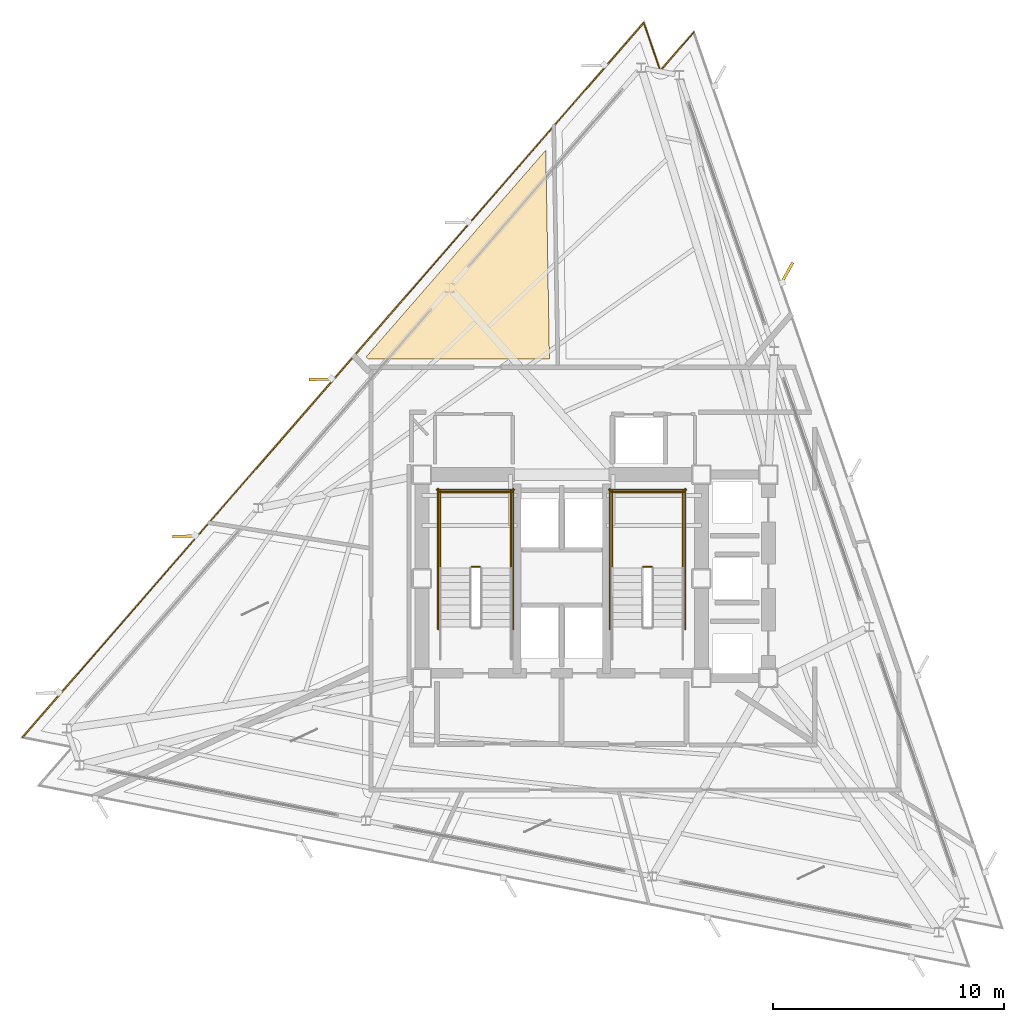
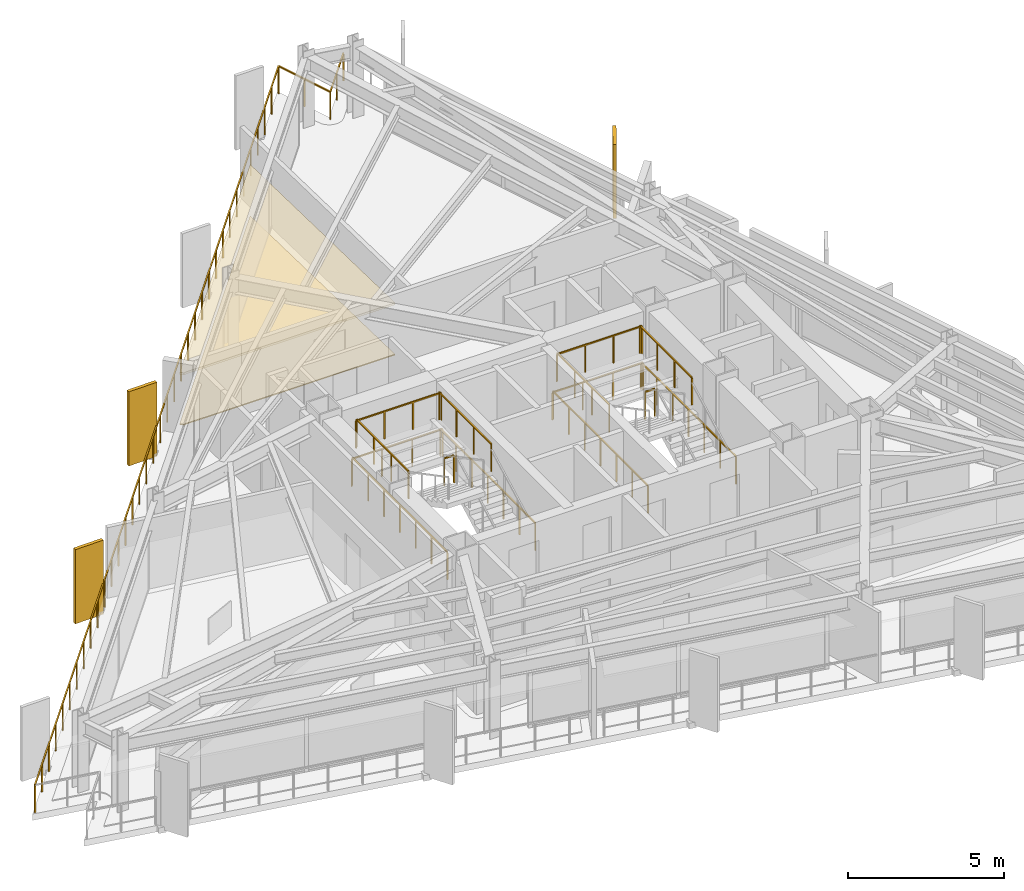
# One storey, part 12 of 13: 15 railings, 3 shading devices, 2 coverings.
"""IFC4 building model written with IfcOpenShell, lengths in metres."""

from ifc_helpers import new_model, si_unit, direction, frame, origin, origin_2d, place, context, subcontext, project, spatial, polyline, rectangle, outline, extrude, material, layer, layer_set, type_object, element, save


model = new_model("IFC4")

# Units and contexts
model_context = context("Model", 3, precision=1e-05, world=origin(), true_north=direction((0.0, 1.0)))
body_context = subcontext(model_context, "Body", "Model", "MODEL_VIEW")
ifc_project = project(units=[si_unit("LENGTHUNIT", "METRE"), si_unit("AREAUNIT", "SQUARE_METRE"), si_unit("VOLUMEUNIT", "CUBIC_METRE"), si_unit("PLANEANGLEUNIT", "RADIAN"), si_unit("MASSUNIT", "GRAM", prefix="KILO")], contexts=[model_context])

# Site, building, storey
site_placement = place(None, origin())
site = spatial("IfcSite", under=ifc_project, at=site_placement, CompositionType="ELEMENT")
building_placement = place(site_placement, origin())
building = spatial("IfcBuilding", under=site, at=building_placement, Name="Rocaltana Carrier Exchange", CompositionType="ELEMENT")
storey_placement = place(building_placement, frame((0.0, 0.0, 156.320068359375)))
storey = spatial("IfcBuildingStorey", under=building, at=storey_placement, Name="L49", CompositionType="ELEMENT", Elevation=156.320068359375)

# Coverings
ifc_material_1 = material(Name="Honed Bogota Sandstone Tile", Category="masonry")
ifc_layer_1 = layer(ifc_material_1, 0.0400390625)
ifc_layer_set_1 = layer_set([ifc_layer_1], Name="Honed Bogota Sandstone Tile")
covering_type_1 = type_object("IfcCoveringType", Name="Honed Stone Lobby Flooring 40", PredefinedType="FLOORING", material=ifc_layer_set_1)
covering_1_placement = place(storey_placement, origin())
element("IfcCovering", 1, at=covering_1_placement, inside=storey, type_object=covering_type_1, Name="L49 Carrier Peering Suite Finish Floor", PredefinedType="FLOORING", context=body_context, shape_type="SweptSolid", body=[
    extrude(outline(polyline([(-8.359619140625, 9.49267578125), (-8.46044921875, 9.6005859375), (-0.683837890625, 18.54638671875), (-0.526123046875, 9.510009765625), (-8.25, 9.510009765625), (-8.263671875, 9.509765625), (-8.271484375, 9.50927734375), (-8.298828125, 9.506591796875), (-8.306640625, 9.50537109375), (-8.33349609375, 9.5), (-8.34130859375, 9.498291015625), (-8.359619140625, 9.49267578125)])), origin(), (0.0, 0.0, 1.0), 0.0400390625),
])
ifc_material_2 = material(Name="Anodised Aluminium 6063-T6", Category="aluminium")
ifc_layer_2 = layer(ifc_material_2, 0.0849609375)
ifc_layer_set_2 = layer_set([ifc_layer_2], Name="Anodised Aluminium 6063-T6")
covering_type_2 = type_object("IfcCoveringType", Name="Linear Baffle Acoustic Ceiling 85", PredefinedType="CEILING", material=ifc_layer_set_2)
covering_2_placement = place(storey_placement, frame((0.0, 0.0, 1.972900390625)))
element("IfcCovering", 2, at=covering_2_placement, inside=storey, type_object=covering_type_2, Name="L49 Carrier Peering Suite Acoustic Ceiling", PredefinedType="CEILING", context=body_context, shape_type="SweptSolid", body=[
    extrude(outline(polyline([(-8.359619140625, 9.49267578125), (-8.46044921875, 9.6005859375), (-0.683837890625, 18.54638671875), (-0.526123046875, 9.510009765625), (-8.25, 9.510009765625), (-8.263671875, 9.509765625), (-8.271484375, 9.50927734375), (-8.298828125, 9.506591796875), (-8.306640625, 9.50537109375), (-8.33349609375, 9.5), (-8.34130859375, 9.498291015625), (-8.359619140625, 9.49267578125)])), origin(), (0.0, 0.0, 1.0), 0.0849609375),
])

# Railings
ifc_material_3 = material(Name="Powder-Coated Aluminium 6063-T6", Category="aluminium")
ifc_layer_3 = layer(ifc_material_3, 0.048095703125)
ifc_layer_set_3 = layer_set([ifc_layer_3], Name="Powder-Coated Aluminium 6063-T6")
railing_type_1 = type_object("IfcRailingType", Name="Stair Well Guardrail 1100", PredefinedType="GUARDRAIL", material=ifc_layer_set_3)
railing_1_placement = place(storey_placement, frame((-3.5400390625, 0.510009765625, 1.52001953125)))
element("IfcRailing", 3, at=railing_1_placement, inside=storey, type_object=railing_type_1, Name="L49 ST-1 stair guard 2", PredefinedType="GUARDRAIL", context=body_context, shape_type="SweptSolid", body=[
    extrude(rectangle(XDim=0.048095703125, YDim=0.048095703125, at=origin_2d()), frame((0.0, 0.0, 1.076171875), z_axis=(-1.0, 0.0, 0.0), x_axis=(0.0, -1.0, 0.0)), (0.0, 0.0, 1.0), 0.35986328125),
    extrude(rectangle(XDim=0.0419921875, YDim=0.0419921875, at=origin_2d()), origin(), (0.0, 0.0, 1.0), 1.052001953125),
    extrude(rectangle(XDim=0.0419921875, YDim=0.0419921875, at=origin_2d()), frame((-0.35986328125, 0.0, 0.0)), (0.0, 0.0, 1.0), 1.052001953125),
])
for number, where, name in (
    (4, (-2.18994140625, 0.4599609375, 1.52001953125), "L49 ST-1 stair guard 3"),
    (5, (-5.25, 0.4599609375, 1.52001953125), "L49 ST-1 stair guard 4"),
):
    element("IfcRailing", number, at=place(storey_placement, frame(where)), inside=storey, type_object=railing_type_1, Name=name, PredefinedType="GUARDRAIL", context=body_context, shape_type="SweptSolid", body=[
        extrude(rectangle(XDim=0.048095703125, YDim=0.048095703125, at=origin_2d()), frame((0.0, 0.0, 1.076171875), z_axis=(0.0, 1.0, 0.0), x_axis=(-1.0, 0.0, 0.0)), (0.0, 0.0, 1.0), 3.340087890625),
        extrude(rectangle(XDim=0.0419921875, YDim=0.0419921875, at=origin_2d()), origin(), (0.0, 0.0, 1.0), 1.052001953125),
        extrude(rectangle(XDim=0.0419921875, YDim=0.0419921875, at=origin_2d()), frame((0.0, 1.11328125, 0.0)), (0.0, 0.0, 1.0), 1.052001953125),
        extrude(rectangle(XDim=0.0419921875, YDim=0.0419921875, at=origin_2d()), frame((0.0, 2.226806640625, 0.0)), (0.0, 0.0, 1.0), 1.052001953125),
        extrude(rectangle(XDim=0.0419921875, YDim=0.0419921875, at=origin_2d()), frame((0.0, 3.340087890625, 0.0)), (0.0, 0.0, 1.0), 1.052001953125),
    ])
railing_2_placement = place(storey_placement, frame((-2.139892578125, 3.75, 1.52001953125)))
element("IfcRailing", 6, at=railing_2_placement, inside=storey, type_object=railing_type_1, Name="L49 ST-1 stair guard 5", PredefinedType="GUARDRAIL", context=body_context, shape_type="SweptSolid", body=[
    extrude(rectangle(XDim=0.048095703125, YDim=0.048095703125, at=origin_2d()), frame((0.0, 0.0, 1.076171875), z_axis=(-1.0, 0.0, 0.0), x_axis=(0.0, -1.0, 0.0)), (0.0, 0.0, 1.0), 3.16015625),
    extrude(rectangle(XDim=0.0419921875, YDim=0.0419921875, at=origin_2d()), origin(), (0.0, 0.0, 1.0), 1.052001953125),
    extrude(rectangle(XDim=0.0419921875, YDim=0.0419921875, at=origin_2d()), frame((-1.053466796875, 0.0, 0.0)), (0.0, 0.0, 1.0), 1.052001953125),
    extrude(rectangle(XDim=0.0419921875, YDim=0.0419921875, at=origin_2d()), frame((-2.106689453125, 0.0, 0.0)), (0.0, 0.0, 1.0), 1.052001953125),
    extrude(rectangle(XDim=0.0419921875, YDim=0.0419921875, at=origin_2d()), frame((-3.16015625, 0.0, 0.0)), (0.0, 0.0, 1.0), 1.052001953125),
])
for number, where, name in (
    (7, (-2.090087890625, -2.199951171875, 0.0), "L49 ST-1 stair guard 10"),
    (8, (-5.35009765625, -2.199951171875, 0.0), "L49 ST-1 stair guard 11"),
):
    element("IfcRailing", number, at=place(storey_placement, frame(where)), inside=storey, type_object=railing_type_1, Name=name, PredefinedType="GUARDRAIL", context=body_context, shape_type="SweptSolid", body=[
        extrude(rectangle(XDim=0.048095703125, YDim=0.048095703125, at=origin_2d()), frame((0.0, 0.0, 1.076171875), z_axis=(0.0, 1.0, 0.0), x_axis=(-1.0, 0.0, 0.0)), (0.0, 0.0, 1.0), 6.099853515625),
        extrude(rectangle(XDim=0.0419921875, YDim=0.0419921875, at=origin_2d()), origin(), (0.0, 0.0, 1.0), 1.052001953125),
        extrude(rectangle(XDim=0.0419921875, YDim=0.0419921875, at=origin_2d()), frame((0.0, 1.0166015625, 0.0)), (0.0, 0.0, 1.0), 1.052001953125),
        extrude(rectangle(XDim=0.0419921875, YDim=0.0419921875, at=origin_2d()), frame((0.0, 2.033203125, 0.0)), (0.0, 0.0, 1.0), 1.052001953125),
        extrude(rectangle(XDim=0.0419921875, YDim=0.0419921875, at=origin_2d()), frame((0.0, 3.0498046875, 0.0)), (0.0, 0.0, 1.0), 1.052001953125),
        extrude(rectangle(XDim=0.0419921875, YDim=0.0419921875, at=origin_2d()), frame((0.0, 4.066650390625, 0.0)), (0.0, 0.0, 1.0), 1.052001953125),
        extrude(rectangle(XDim=0.0419921875, YDim=0.0419921875, at=origin_2d()), frame((0.0, 5.083251953125, 0.0)), (0.0, 0.0, 1.0), 1.052001953125),
        extrude(rectangle(XDim=0.0419921875, YDim=0.0419921875, at=origin_2d()), frame((0.0, 6.099853515625, 0.0)), (0.0, 0.0, 1.0), 1.052001953125),
    ])
railing_3_placement = place(storey_placement, frame((-2.0400390625, 3.85009765625, 0.0)))
element("IfcRailing", 9, at=railing_3_placement, inside=storey, type_object=railing_type_1, Name="L49 ST-1 stair guard 12", PredefinedType="GUARDRAIL", context=body_context, shape_type="SweptSolid", body=[
    extrude(rectangle(XDim=0.048095703125, YDim=0.048095703125, at=origin_2d()), frame((0.0, 0.0, 1.076171875), z_axis=(-1.0, 0.0, 0.0), x_axis=(0.0, -1.0, 0.0)), (0.0, 0.0, 1.0), 3.35986328125),
    extrude(rectangle(XDim=0.0419921875, YDim=0.0419921875, at=origin_2d()), origin(), (0.0, 0.0, 1.0), 1.052001953125),
    extrude(rectangle(XDim=0.0419921875, YDim=0.0419921875, at=origin_2d()), frame((-1.119873046875, 0.0, 0.0)), (0.0, 0.0, 1.0), 1.052001953125),
    extrude(rectangle(XDim=0.0419921875, YDim=0.0419921875, at=origin_2d()), frame((-2.239990234375, 0.0, 0.0)), (0.0, 0.0, 1.0), 1.052001953125),
    extrude(rectangle(XDim=0.0419921875, YDim=0.0419921875, at=origin_2d()), frame((-3.35986328125, 0.0, 0.0)), (0.0, 0.0, 1.0), 1.052001953125),
])
railing_4_placement = place(storey_placement, frame((3.89990234375, 0.510009765625, 1.52001953125)))
element("IfcRailing", 10, at=railing_4_placement, inside=storey, type_object=railing_type_1, Name="L49 ST-2 stair guard 2", PredefinedType="GUARDRAIL", context=body_context, shape_type="SweptSolid", body=[
    extrude(rectangle(XDim=0.048095703125, YDim=0.048095703125, at=origin_2d()), frame((0.0, 0.0, 1.076171875), z_axis=(-1.0, 0.0, 0.0), x_axis=(0.0, -1.0, 0.0)), (0.0, 0.0, 1.0), 0.35986328125),
    extrude(rectangle(XDim=0.0419921875, YDim=0.0419921875, at=origin_2d()), origin(), (0.0, 0.0, 1.0), 1.052001953125),
    extrude(rectangle(XDim=0.0419921875, YDim=0.0419921875, at=origin_2d()), frame((-0.35986328125, 0.0, 0.0)), (0.0, 0.0, 1.0), 1.052001953125),
])
for number, where, name in (
    (11, (5.25, 0.4599609375, 1.52001953125), "L49 ST-2 stair guard 3"),
    (12, (2.18994140625, 0.4599609375, 1.52001953125), "L49 ST-2 stair guard 4"),
):
    element("IfcRailing", number, at=place(storey_placement, frame(where)), inside=storey, type_object=railing_type_1, Name=name, PredefinedType="GUARDRAIL", context=body_context, shape_type="SweptSolid", body=[
        extrude(rectangle(XDim=0.048095703125, YDim=0.048095703125, at=origin_2d()), frame((0.0, 0.0, 1.076171875), z_axis=(0.0, 1.0, 0.0), x_axis=(-1.0, 0.0, 0.0)), (0.0, 0.0, 1.0), 3.340087890625),
        extrude(rectangle(XDim=0.0419921875, YDim=0.0419921875, at=origin_2d()), origin(), (0.0, 0.0, 1.0), 1.052001953125),
        extrude(rectangle(XDim=0.0419921875, YDim=0.0419921875, at=origin_2d()), frame((0.0, 1.11328125, 0.0)), (0.0, 0.0, 1.0), 1.052001953125),
        extrude(rectangle(XDim=0.0419921875, YDim=0.0419921875, at=origin_2d()), frame((0.0, 2.226806640625, 0.0)), (0.0, 0.0, 1.0), 1.052001953125),
        extrude(rectangle(XDim=0.0419921875, YDim=0.0419921875, at=origin_2d()), frame((0.0, 3.340087890625, 0.0)), (0.0, 0.0, 1.0), 1.052001953125),
    ])
railing_5_placement = place(storey_placement, frame((5.300048828125, 3.75, 1.52001953125)))
element("IfcRailing", 13, at=railing_5_placement, inside=storey, type_object=railing_type_1, Name="L49 ST-2 stair guard 5", PredefinedType="GUARDRAIL", context=body_context, shape_type="SweptSolid", body=[
    extrude(rectangle(XDim=0.048095703125, YDim=0.048095703125, at=origin_2d()), frame((0.0, 0.0, 1.076171875), z_axis=(-1.0, 0.0, 0.0), x_axis=(0.0, -1.0, 0.0)), (0.0, 0.0, 1.0), 3.16015625),
    extrude(rectangle(XDim=0.0419921875, YDim=0.0419921875, at=origin_2d()), origin(), (0.0, 0.0, 1.0), 1.052001953125),
    extrude(rectangle(XDim=0.0419921875, YDim=0.0419921875, at=origin_2d()), frame((-1.053466796875, 0.0, 0.0)), (0.0, 0.0, 1.0), 1.052001953125),
    extrude(rectangle(XDim=0.0419921875, YDim=0.0419921875, at=origin_2d()), frame((-2.106689453125, 0.0, 0.0)), (0.0, 0.0, 1.0), 1.052001953125),
    extrude(rectangle(XDim=0.0419921875, YDim=0.0419921875, at=origin_2d()), frame((-3.16015625, 0.0, 0.0)), (0.0, 0.0, 1.0), 1.052001953125),
])
for number, where, name in (
    (14, (5.35009765625, -2.199951171875, 0.0), "L49 ST-2 stair guard 10"),
    (15, (2.090087890625, -2.199951171875, 0.0), "L49 ST-2 stair guard 11"),
):
    element("IfcRailing", number, at=place(storey_placement, frame(where)), inside=storey, type_object=railing_type_1, Name=name, PredefinedType="GUARDRAIL", context=body_context, shape_type="SweptSolid", body=[
        extrude(rectangle(XDim=0.048095703125, YDim=0.048095703125, at=origin_2d()), frame((0.0, 0.0, 1.076171875), z_axis=(0.0, 1.0, 0.0), x_axis=(-1.0, 0.0, 0.0)), (0.0, 0.0, 1.0), 6.099853515625),
        extrude(rectangle(XDim=0.0419921875, YDim=0.0419921875, at=origin_2d()), origin(), (0.0, 0.0, 1.0), 1.052001953125),
        extrude(rectangle(XDim=0.0419921875, YDim=0.0419921875, at=origin_2d()), frame((0.0, 1.0166015625, 0.0)), (0.0, 0.0, 1.0), 1.052001953125),
        extrude(rectangle(XDim=0.0419921875, YDim=0.0419921875, at=origin_2d()), frame((0.0, 2.033203125, 0.0)), (0.0, 0.0, 1.0), 1.052001953125),
        extrude(rectangle(XDim=0.0419921875, YDim=0.0419921875, at=origin_2d()), frame((0.0, 3.0498046875, 0.0)), (0.0, 0.0, 1.0), 1.052001953125),
        extrude(rectangle(XDim=0.0419921875, YDim=0.0419921875, at=origin_2d()), frame((0.0, 4.066650390625, 0.0)), (0.0, 0.0, 1.0), 1.052001953125),
        extrude(rectangle(XDim=0.0419921875, YDim=0.0419921875, at=origin_2d()), frame((0.0, 5.083251953125, 0.0)), (0.0, 0.0, 1.0), 1.052001953125),
        extrude(rectangle(XDim=0.0419921875, YDim=0.0419921875, at=origin_2d()), frame((0.0, 6.099853515625, 0.0)), (0.0, 0.0, 1.0), 1.052001953125),
    ])
railing_6_placement = place(storey_placement, frame((5.39990234375, 3.85009765625, 0.0)))
element("IfcRailing", 16, at=railing_6_placement, inside=storey, type_object=railing_type_1, Name="L49 ST-2 stair guard 12", PredefinedType="GUARDRAIL", context=body_context, shape_type="SweptSolid", body=[
    extrude(rectangle(XDim=0.048095703125, YDim=0.048095703125, at=origin_2d()), frame((0.0, 0.0, 1.076171875), z_axis=(-1.0, 0.0, 0.0), x_axis=(0.0, -1.0, 0.0)), (0.0, 0.0, 1.0), 3.35986328125),
    extrude(rectangle(XDim=0.0419921875, YDim=0.0419921875, at=origin_2d()), origin(), (0.0, 0.0, 1.0), 1.052001953125),
    extrude(rectangle(XDim=0.0419921875, YDim=0.0419921875, at=origin_2d()), frame((-1.119873046875, 0.0, 0.0)), (0.0, 0.0, 1.0), 1.052001953125),
    extrude(rectangle(XDim=0.0419921875, YDim=0.0419921875, at=origin_2d()), frame((-2.239990234375, 0.0, 0.0)), (0.0, 0.0, 1.0), 1.052001953125),
    extrude(rectangle(XDim=0.0419921875, YDim=0.0419921875, at=origin_2d()), frame((-3.35986328125, 0.0, 0.0)), (0.0, 0.0, 1.0), 1.052001953125),
])

# Shading devices
ifc_material_4 = material(Name="Honed Bogota Sandstone & Concrete C45/55", Category="masonry")
ifc_layer_4 = layer(ifc_material_4, 0.1201171875)
ifc_layer_set_4 = layer_set([ifc_layer_4], Name="Honed Bogota Sandstone & Concrete C45/55")
shading_device_type = type_object("IfcShadingDeviceType", Name="Upper Sandstone Shading Fin 1050x120", PredefinedType="USERDEFINED", material=ifc_layer_set_4)
for number, where, z_axis, x_axis, name in (
    (17, (9.75146484375, 13.219482421875, -0.1201171875), (0.0, 0.0, 1.0), (0.484809620246, 0.874619707139, 0.0), "L49 Sandstone Vertical Fin F1-04"),
    (18, (-10.419677734375, 8.627685546875, -0.1201171875), (0.0, 0.0, 1.0), (-0.999847695156, -0.017452406437, 0.0), "L49 Sandstone Vertical Fin F2-03"),
    (19, (-16.32421875, 1.835205078125, -0.1201171875), (0.0, 0.0, 1.0), (-0.999847695156, -0.017452406437, 0.0), "L49 Sandstone Vertical Fin F2-04"),
):
    element("IfcShadingDevice", number, at=place(storey_placement, frame(where, z_axis=z_axis, x_axis=x_axis)), inside=storey, type_object=shading_device_type, Name=name, ObjectType="FIN", PredefinedType="USERDEFINED", context=body_context, shape_type="SweptSolid", body=[
        extrude(rectangle(XDim=1.050048828125, YDim=0.1201171875, at=origin_2d()), origin(), (0.0, 0.0, 1.0), 2.907958984375),
    ])

# Railing
ifc_material_5 = material(Name="Powder-Coated Aluminium 6063-T6", Category="aluminium")
ifc_layer_5 = layer(ifc_material_5, 0.06005859375)
ifc_layer_set_5 = layer_set([ifc_layer_5], Name="Powder-Coated Aluminium 6063-T6")
railing_type_2 = type_object("IfcRailingType", Name="Wind-Floor & Terrace Perimeter Guardrail 1100", PredefinedType="GUARDRAIL", material=ifc_layer_set_5)
railing_7_placement = place(storey_placement, frame((-23.3359375, -6.871826171875, 0.0)))
element("IfcRailing", 20, at=railing_7_placement, inside=storey, type_object=railing_type_2, Name="L49 Perimeter Balcony Guardrail 2", PredefinedType="GUARDRAIL", context=body_context, shape_type="SweptSolid", body=[
    extrude(rectangle(XDim=0.048095703125, YDim=0.048095703125, at=origin_2d()), frame((0.0, 0.0, 1.076171875), z_axis=(0.656058089841, 0.754710396612, 0.0), x_axis=(-0.754710396612, 0.656058089841, 0.0)), (0.0, 0.0, 1.0), 40.991943359375),
    extrude(rectangle(XDim=0.048095703125, YDim=0.048095703125, at=origin_2d()), frame((26.89306640625, 30.93701171875, 1.076171875), z_axis=(0.325600768791, -0.945507344955, 0.0), x_axis=(0.945507344955, 0.325600768791, 0.0)), (0.0, 0.0, 1.0), 2.199951171875),
    extrude(rectangle(XDim=0.048095703125, YDim=0.048095703125, at=origin_2d()), frame((27.609375, 28.85693359375, 1.076171875), z_axis=(0.656057821484, 0.75471062989, 0.0), x_axis=(-0.75471062989, 0.656057821484, 0.0)), (0.0, 0.0, 1.0), 2.199951171875),
    extrude(rectangle(XDim=0.0419921875, YDim=0.0419921875, at=origin_2d()), origin(), (0.0, 0.0, 1.0), 1.052001953125),
    extrude(rectangle(XDim=0.0419921875, YDim=0.0419921875, at=origin_2d()), frame((0.768310546875, 0.884033203125, 0.0)), (0.0, 0.0, 1.0), 1.052001953125),
    extrude(rectangle(XDim=0.0419921875, YDim=0.0419921875, at=origin_2d()), frame((1.536865234375, 1.767822265625, 0.0)), (0.0, 0.0, 1.0), 1.052001953125),
    extrude(rectangle(XDim=0.0419921875, YDim=0.0419921875, at=origin_2d()), frame((2.30517578125, 2.65185546875, 0.0)), (0.0, 0.0, 1.0), 1.052001953125),
    extrude(rectangle(XDim=0.0419921875, YDim=0.0419921875, at=origin_2d()), frame((3.073486328125, 3.53564453125, 0.0)), (0.0, 0.0, 1.0), 1.052001953125),
    extrude(rectangle(XDim=0.0419921875, YDim=0.0419921875, at=origin_2d()), frame((3.841796875, 4.419677734375, 0.0)), (0.0, 0.0, 1.0), 1.052001953125),
    extrude(rectangle(XDim=0.0419921875, YDim=0.0419921875, at=origin_2d()), frame((4.6103515625, 5.303466796875, 0.0)), (0.0, 0.0, 1.0), 1.052001953125),
    extrude(rectangle(XDim=0.0419921875, YDim=0.0419921875, at=origin_2d()), frame((5.378662109375, 6.1875, 0.0)), (0.0, 0.0, 1.0), 1.052001953125),
    extrude(rectangle(XDim=0.0419921875, YDim=0.0419921875, at=origin_2d()), frame((6.14697265625, 7.0712890625, 0.0)), (0.0, 0.0, 1.0), 1.052001953125),
    extrude(rectangle(XDim=0.0419921875, YDim=0.0419921875, at=origin_2d()), frame((6.915283203125, 7.955322265625, 0.0)), (0.0, 0.0, 1.0), 1.052001953125),
    extrude(rectangle(XDim=0.0419921875, YDim=0.0419921875, at=origin_2d()), frame((7.683837890625, 8.839111328125, 0.0)), (0.0, 0.0, 1.0), 1.052001953125),
    extrude(rectangle(XDim=0.0419921875, YDim=0.0419921875, at=origin_2d()), frame((8.4521484375, 9.72314453125, 0.0)), (0.0, 0.0, 1.0), 1.052001953125),
    extrude(rectangle(XDim=0.0419921875, YDim=0.0419921875, at=origin_2d()), frame((9.220458984375, 10.60693359375, 0.0)), (0.0, 0.0, 1.0), 1.052001953125),
    extrude(rectangle(XDim=0.0419921875, YDim=0.0419921875, at=origin_2d()), frame((9.98876953125, 11.490966796875, 0.0)), (0.0, 0.0, 1.0), 1.052001953125),
    extrude(rectangle(XDim=0.0419921875, YDim=0.0419921875, at=origin_2d()), frame((10.75732421875, 12.374755859375, 0.0)), (0.0, 0.0, 1.0), 1.052001953125),
    extrude(rectangle(XDim=0.0419921875, YDim=0.0419921875, at=origin_2d()), frame((11.525634765625, 13.2587890625, 0.0)), (0.0, 0.0, 1.0), 1.052001953125),
    extrude(rectangle(XDim=0.0419921875, YDim=0.0419921875, at=origin_2d()), frame((12.2939453125, 14.142578125, 0.0)), (0.0, 0.0, 1.0), 1.052001953125),
    extrude(rectangle(XDim=0.0419921875, YDim=0.0419921875, at=origin_2d()), frame((13.062255859375, 15.026611328125, 0.0)), (0.0, 0.0, 1.0), 1.052001953125),
    extrude(rectangle(XDim=0.0419921875, YDim=0.0419921875, at=origin_2d()), frame((13.830810546875, 15.910400390625, 0.0)), (0.0, 0.0, 1.0), 1.052001953125),
    extrude(rectangle(XDim=0.0419921875, YDim=0.0419921875, at=origin_2d()), frame((14.59912109375, 16.79443359375, 0.0)), (0.0, 0.0, 1.0), 1.052001953125),
    extrude(rectangle(XDim=0.0419921875, YDim=0.0419921875, at=origin_2d()), frame((15.367431640625, 17.67822265625, 0.0)), (0.0, 0.0, 1.0), 1.052001953125),
    extrude(rectangle(XDim=0.0419921875, YDim=0.0419921875, at=origin_2d()), frame((16.1357421875, 18.562255859375, 0.0)), (0.0, 0.0, 1.0), 1.052001953125),
    extrude(rectangle(XDim=0.0419921875, YDim=0.0419921875, at=origin_2d()), frame((16.904296875, 19.446044921875, 0.0)), (0.0, 0.0, 1.0), 1.052001953125),
    extrude(rectangle(XDim=0.0419921875, YDim=0.0419921875, at=origin_2d()), frame((17.672607421875, 20.330078125, 0.0)), (0.0, 0.0, 1.0), 1.052001953125),
    extrude(rectangle(XDim=0.0419921875, YDim=0.0419921875, at=origin_2d()), frame((18.44091796875, 21.2138671875, 0.0)), (0.0, 0.0, 1.0), 1.052001953125),
    extrude(rectangle(XDim=0.0419921875, YDim=0.0419921875, at=origin_2d()), frame((19.209228515625, 22.097900390625, 0.0)), (0.0, 0.0, 1.0), 1.052001953125),
    extrude(rectangle(XDim=0.0419921875, YDim=0.0419921875, at=origin_2d()), frame((19.977783203125, 22.981689453125, 0.0)), (0.0, 0.0, 1.0), 1.052001953125),
    extrude(rectangle(XDim=0.0419921875, YDim=0.0419921875, at=origin_2d()), frame((20.74609375, 23.86572265625, 0.0)), (0.0, 0.0, 1.0), 1.052001953125),
    extrude(rectangle(XDim=0.0419921875, YDim=0.0419921875, at=origin_2d()), frame((21.514404296875, 24.74951171875, 0.0)), (0.0, 0.0, 1.0), 1.052001953125),
    extrude(rectangle(XDim=0.0419921875, YDim=0.0419921875, at=origin_2d()), frame((22.28271484375, 25.633544921875, 0.0)), (0.0, 0.0, 1.0), 1.052001953125),
    extrude(rectangle(XDim=0.0419921875, YDim=0.0419921875, at=origin_2d()), frame((23.05126953125, 26.517333984375, 0.0)), (0.0, 0.0, 1.0), 1.052001953125),
    extrude(rectangle(XDim=0.0419921875, YDim=0.0419921875, at=origin_2d()), frame((23.819580078125, 27.4013671875, 0.0)), (0.0, 0.0, 1.0), 1.052001953125),
    extrude(rectangle(XDim=0.0419921875, YDim=0.0419921875, at=origin_2d()), frame((24.587890625, 28.28515625, 0.0)), (0.0, 0.0, 1.0), 1.052001953125),
    extrude(rectangle(XDim=0.0419921875, YDim=0.0419921875, at=origin_2d()), frame((25.356201171875, 29.169189453125, 0.0)), (0.0, 0.0, 1.0), 1.052001953125),
    extrude(rectangle(XDim=0.0419921875, YDim=0.0419921875, at=origin_2d()), frame((26.124755859375, 30.052978515625, 0.0)), (0.0, 0.0, 1.0), 1.052001953125),
    extrude(rectangle(XDim=0.0419921875, YDim=0.0419921875, at=origin_2d()), frame((26.89306640625, 30.93701171875, 0.0)), (0.0, 0.0, 1.0), 1.052001953125),
    extrude(rectangle(XDim=0.0419921875, YDim=0.0419921875, at=origin_2d()), frame((27.251220703125, 29.89697265625, 0.0)), (0.0, 0.0, 1.0), 1.052001953125),
    extrude(rectangle(XDim=0.0419921875, YDim=0.0419921875, at=origin_2d()), frame((27.609375, 28.85693359375, 0.0)), (0.0, 0.0, 1.0), 1.052001953125),
    extrude(rectangle(XDim=0.0419921875, YDim=0.0419921875, at=origin_2d()), frame((28.3310546875, 29.68701171875, 0.0)), (0.0, 0.0, 1.0), 1.052001953125),
    extrude(rectangle(XDim=0.0419921875, YDim=0.0419921875, at=origin_2d()), frame((29.052734375, 30.517333984375, 0.0)), (0.0, 0.0, 1.0), 1.052001953125),
])

save(model, "model.ifc")
